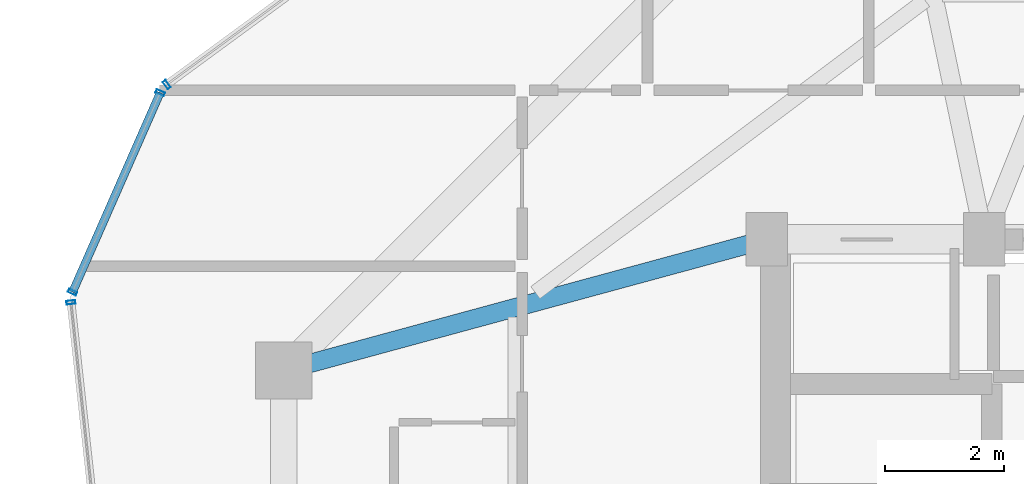
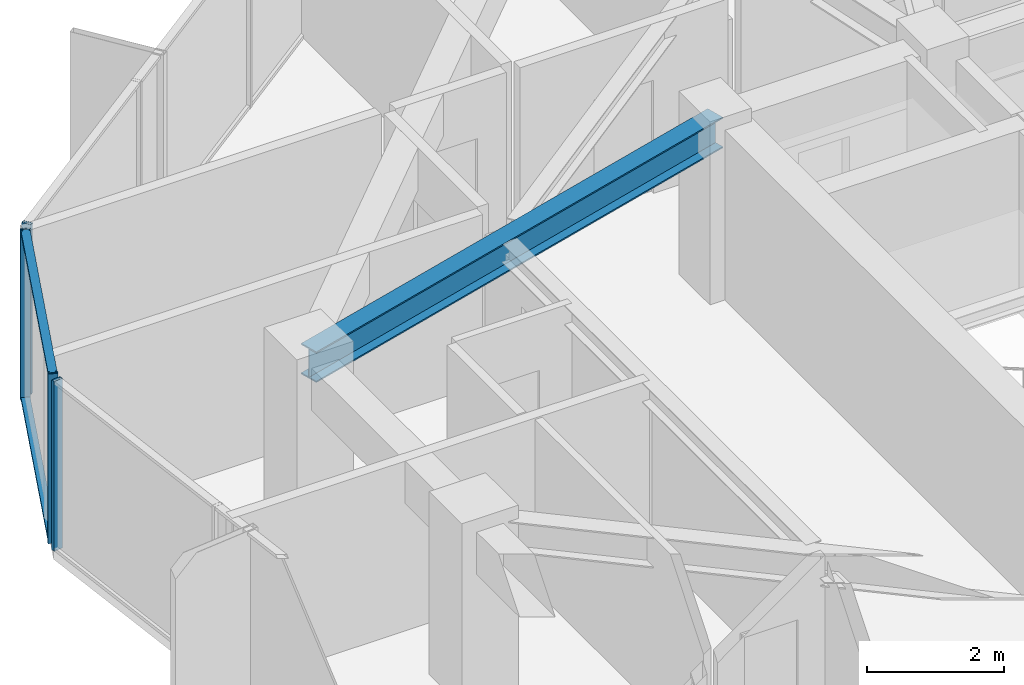
# One storey, part 14 of 32: 6 members, 1 beam, 3 elements without a shape of their own.
"""IFC4 building model written with IfcOpenShell, lengths in metres."""

from ifc_helpers import new_model, si_unit, direction, frame, origin, origin_2d, place, context, subcontext, project, spatial, hollow_rectangle, i_section, extrude, source, transform, mapped, material, layer, layer_set, material_profile, profile_set, type_object, element, aggregate, save


model = new_model("IFC4")

# Units and contexts
model_context = context("Model", 3, precision=1e-05, world=origin(), true_north=direction((0.0, 1.0)))
body_context = subcontext(model_context, "Body", "Model", "MODEL_VIEW")
ifc_project = project(units=[si_unit("LENGTHUNIT", "METRE"), si_unit("AREAUNIT", "SQUARE_METRE"), si_unit("VOLUMEUNIT", "CUBIC_METRE"), si_unit("PLANEANGLEUNIT", "RADIAN"), si_unit("MASSUNIT", "GRAM", prefix="KILO")], contexts=[model_context])

# Site, building, storey
site_placement = place(None, origin())
site = spatial("IfcSite", under=ifc_project, at=site_placement, CompositionType="ELEMENT")
building_placement = place(site_placement, origin())
building = spatial("IfcBuilding", under=site, at=building_placement, Name="Veraguas Prism Commons", CompositionType="ELEMENT")
storey_placement = place(building_placement, frame((0.0, 0.0, 185.35009765625)))
storey = spatial("IfcBuildingStorey", under=building, at=storey_placement, Name="L52", CompositionType="ELEMENT", Elevation=185.35009765625)

# Beam
ifc_material_1 = material(Name="Steel ASTM A992 Grade 50", Category="steel")
ifc_material_profile_1 = material_profile(ifc_material_1, i_section(OverallWidth=0.31103515625, OverallDepth=0.5458984375, WebThickness=0.0146484375, FlangeThickness=0.023681640625, at=origin_2d()), Name="W530X165")
ifc_profile_set_1 = profile_set([ifc_material_profile_1], Name="Steel ASTM A992 Grade 50")
beam_type = type_object("IfcBeamType", Name="Zone 3 Radial Girder W530x165", PredefinedType="BEAM", material=ifc_profile_set_1)
beam_placement = place(storey_placement, frame((9.10009765625, 28.800048828125, 2.741943359375), z_axis=(0.965038506703, 0.262108146725, 0.0), x_axis=(-0.262108146725, 0.965038506703, 0.0)))
element("IfcBeam", 1, at=beam_placement, inside=storey, type_object=beam_type, Name="Radial Floor Girder L52-RD07", PredefinedType="BEAM", context=body_context, shape_type="SweptSolid", body=[
    extrude(i_section(OverallWidth=0.31103515625, OverallDepth=0.5458984375, WebThickness=0.0146484375, FlangeThickness=0.023681640625, at=origin_2d()), origin(), (0.0, 0.0, 1.0), 8.393310546875),
])

# Curtain wall, member
ifc_material_2 = material(Name="Anodised aluminium EN AW-6063 T6", Category="aluminium")
ifc_layer = layer(ifc_material_2, 0.14990234375, Name="Unitised Flush Curtain Wall Zone 3", Category="aluminium")
ifc_layer_set = layer_set([ifc_layer], Name="Anodised aluminium EN AW-6063 T6")
curtain_wall_type = type_object("IfcCurtainWallType", Name="Unitised Flush Curtain Wall Zone 3", PredefinedType="NOTDEFINED", material=ifc_layer_set)
curtain_wall_1_placement = place(storey_placement, origin())
curtain_wall_1 = element("IfcCurtainWall", 2, at=curtain_wall_1_placement, inside=storey, type_object=curtain_wall_type, Name="Tower Facade Curtain Wall L52-F2", PredefinedType="NOTDEFINED")
ifc_material_profile_2 = material_profile(ifc_material_2, hollow_rectangle(XDim=0.06005859375, YDim=0.14990234375, WallThickness=0.0029296875, at=origin_2d()), Name="AL60X150X3")
ifc_profile_set_2 = profile_set([ifc_material_profile_2], Name="Anodised aluminium EN AW-6063 T6")
member_type_1 = type_object("IfcMemberType", Name="Curtain Wall Mullion Upper AL 60x150x3", PredefinedType="MULLION", material=ifc_profile_set_2)
shared_shape_1 = source(origin(), body_context, "Body", "SweptSolid", [
    extrude(hollow_rectangle(XDim=0.06005859375, YDim=0.14990234375, WallThickness=0.0029296875, at=origin_2d()), origin(), (0.0, 0.0, 1.0), 3.014892578125),
])
member_1_placement = place(storey_placement, frame((7.13818359375, 33.595458984375, 0.0), z_axis=(0.0, 0.0, 1.0), x_axis=(-0.806341388983, -0.591450390493, 0.0)))
member_1 = element("IfcMember", 3, at=member_1_placement, type_object=member_type_1, Name="CW-Z3 Mullion 5", PredefinedType="MULLION", context=body_context, shape_type="MappedRepresentation", body=[
    mapped(shared_shape_1, transform((0.0, 0.0, 0.0), scale=1.0)),
])
aggregate(curtain_wall_1, [member_1])

curtain_wall_2_placement = place(storey_placement, origin())
curtain_wall_2 = element("IfcCurtainWall", 4, at=curtain_wall_2_placement, inside=storey, type_object=curtain_wall_type, Name="Tower Facade Curtain Wall L52-F3", PredefinedType="NOTDEFINED")
member_2_placement = place(storey_placement, frame((5.531494140625, 29.94287109375, 0.0), z_axis=(0.0, 0.0, 1.0), x_axis=(0.109045573519, -0.99403675128, 0.0)))
member_2 = element("IfcMember", 5, at=member_2_placement, type_object=member_type_1, Name="CW-Z3 Mullion 1", PredefinedType="MULLION", context=body_context, shape_type="MappedRepresentation", body=[
    mapped(shared_shape_1, transform((0.0, 0.0, 0.0), scale=1.0)),
])
aggregate(curtain_wall_2, [member_2])

# Curtain wall, members
curtain_wall_3_placement = place(storey_placement, origin())
curtain_wall_3 = element("IfcCurtainWall", 6, at=curtain_wall_3_placement, inside=storey, type_object=curtain_wall_type, Name="Chamfer Curtain Wall L52-C3", PredefinedType="NOTDEFINED")
member_3_placement = place(storey_placement, frame((7.029296875, 33.459716796875, 0.0), z_axis=(0.0, 0.0, 1.0), x_axis=(-0.402570955249, -0.915388784064, 0.0)))
member_3 = element("IfcMember", 7, at=member_3_placement, type_object=member_type_1, Name="CW-Z3 Mullion 1", PredefinedType="MULLION", context=body_context, shape_type="MappedRepresentation", body=[
    mapped(shared_shape_1, transform((0.0, 0.0, 0.0), scale=1.0)),
])
member_4_placement = place(storey_placement, frame((5.55810546875, 30.11474609375, 0.0), z_axis=(0.0, 0.0, 1.0), x_axis=(-0.402570955249, -0.915388784064, 0.0)))
member_4 = element("IfcMember", 8, at=member_4_placement, type_object=member_type_1, Name="CW-Z3 Mullion 2", PredefinedType="MULLION", context=body_context, shape_type="MappedRepresentation", body=[
    mapped(shared_shape_1, transform((0.0, 0.0, 0.0), scale=1.0)),
])
ifc_material_profile_3 = material_profile(ifc_material_2, hollow_rectangle(XDim=0.054931640625, YDim=0.135009765625, WallThickness=0.0029296875, at=origin_2d()), Name="AL55X135X3")
ifc_profile_set_3 = profile_set([ifc_material_profile_3], Name="Anodised aluminium EN AW-6063 T6")
member_type_2 = type_object("IfcMemberType", Name="Curtain Wall Transom Standard AL 55x135x3", PredefinedType="USERDEFINED", material=ifc_profile_set_3)
shared_shape_2 = source(origin(), body_context, "Body", "SweptSolid", [
    extrude(hollow_rectangle(XDim=0.054931640625, YDim=0.135009765625, WallThickness=0.0029296875, at=origin_2d()), origin(), (0.0, 0.0, 1.0), 3.654296875),
])
member_5_placement = place(storey_placement, frame((7.029296875, 33.459716796875, 0.02734375), z_axis=(-0.402602032694, -0.915375116152, 0.0), x_axis=(0.0, 0.0, 1.0)))
member_5 = element("IfcMember", 9, at=member_5_placement, type_object=member_type_2, Name="CW-Z3 Transom 1", ObjectType="TRANSOM", PredefinedType="USERDEFINED", context=body_context, shape_type="MappedRepresentation", body=[
    mapped(shared_shape_2, transform((0.0, 0.0, 0.0), scale=1.0)),
])
member_6_placement = place(storey_placement, frame((7.029296875, 33.459716796875, 2.9873046875), z_axis=(-0.402602032694, -0.915375116152, 0.0), x_axis=(0.0, 0.0, 1.0)))
member_6 = element("IfcMember", 10, at=member_6_placement, type_object=member_type_2, Name="CW-Z3 Transom 2", ObjectType="TRANSOM", PredefinedType="USERDEFINED", context=body_context, shape_type="MappedRepresentation", body=[
    mapped(shared_shape_2, transform((0.0, 0.0, 0.0), scale=1.0)),
])
aggregate(curtain_wall_3, [member_3, member_4, member_5, member_6])

save(model, "model.ifc")
